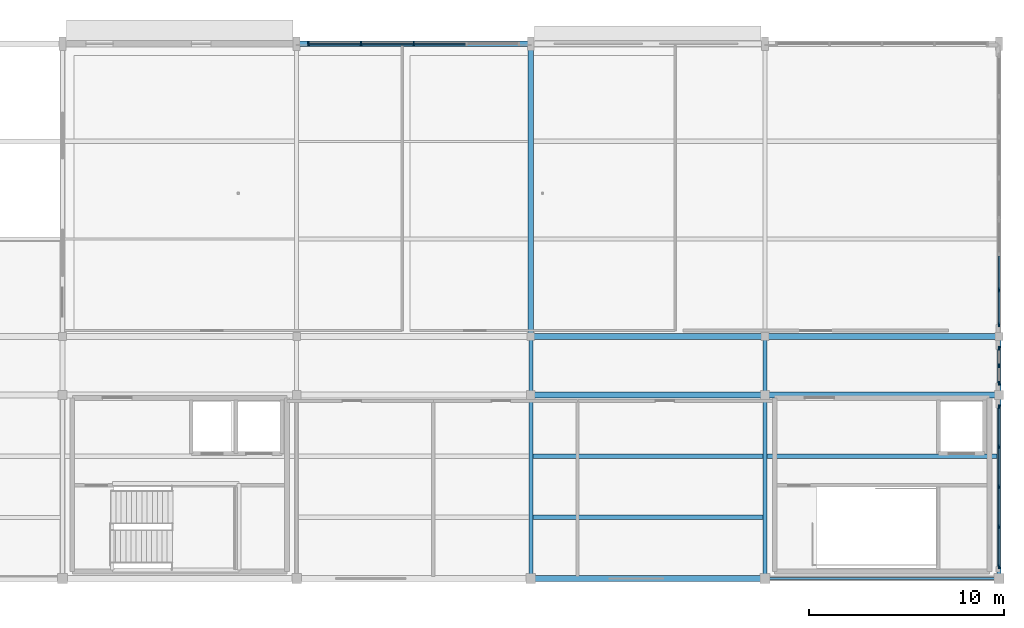
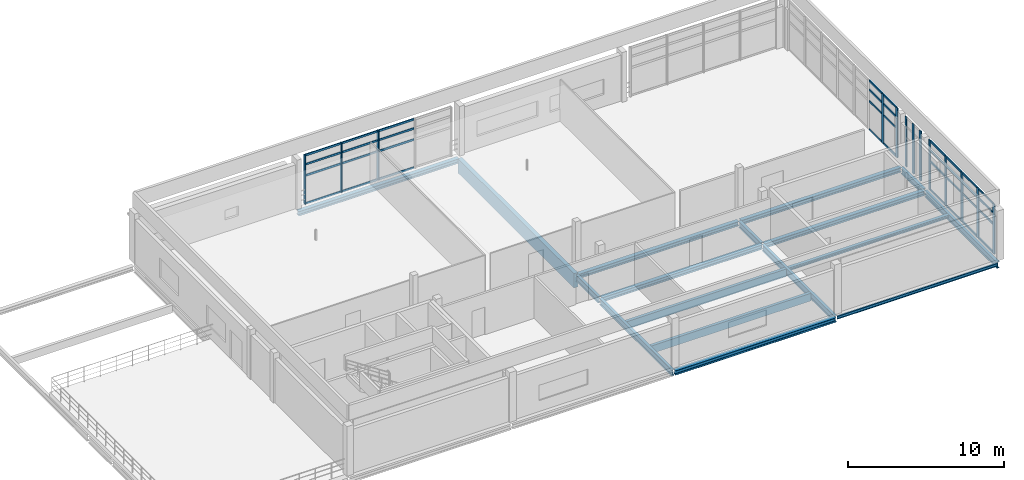
# One storey, part 2 of 9: 49 members, 17 beams, 4 elements without a shape of their own.
"""IFC4 building model written with IfcOpenShell, lengths in metres."""

from ifc_helpers import new_model, si_unit, direction, frame, origin, origin_2d, place, context, subcontext, project, spatial, rectangle, i_section, extrude, material, material_profile, profile_set, type_object, element, aggregate, save


model = new_model("IFC4")

# Units and contexts
model_context = context("Model", 3, precision=1e-05, world=origin(), true_north=direction((0.0, 1.0)))
body_context = subcontext(model_context, "Body", "Model", "MODEL_VIEW")
ifc_project = project(units=[si_unit("LENGTHUNIT", "METRE"), si_unit("AREAUNIT", "SQUARE_METRE"), si_unit("VOLUMEUNIT", "CUBIC_METRE"), si_unit("PLANEANGLEUNIT", "RADIAN"), si_unit("MASSUNIT", "GRAM", prefix="KILO"), si_unit("THERMODYNAMICTEMPERATUREUNIT", "KELVIN"), si_unit("POWERUNIT", "WATT")], contexts=[model_context])

# Site, building, storey
site_placement = place(None, origin())
site = spatial("IfcSite", under=ifc_project, at=site_placement, CompositionType="ELEMENT")
building_placement = place(site_placement, origin())
building = spatial("IfcBuilding", under=site, at=building_placement, Name="Solmara Park Aquatics Centre", CompositionType="ELEMENT")
storey_placement = place(building_placement, frame((0.0, 0.0, 18.60009765625)))
storey = spatial("IfcBuildingStorey", under=building, at=storey_placement, Name="L04", CompositionType="ELEMENT", Elevation=18.60009765625)

# Curtain wall, members
ifc_material_1 = material(Name="Anodised Aluminium Curtain Wall Framing", Category="aluminium")
curtain_wall_type_1 = type_object("IfcCurtainWallType", Name="ARC-CW-SYS04", PredefinedType="USERDEFINED", material=ifc_material_1)
curtain_wall_1_placement = place(storey_placement, origin())
curtain_wall_1 = element("IfcCurtainWall", 1, at=curtain_wall_1_placement, inside=storey, type_object=curtain_wall_type_1, Name="Curtain Wall CW-132", ObjectType="CURTAIN WALL", PredefinedType="USERDEFINED")
ifc_material_2 = material(Name="Anodised Aluminium Alloy 6063-T6", Category="aluminium")
ifc_material_profile_1 = material_profile(ifc_material_2, rectangle(XDim=0.074951171875, YDim=0.219970703125, at=origin_2d()), Name="ALU MULLION 75x220")
ifc_profile_set_1 = profile_set([ifc_material_profile_1], Name="Anodised Aluminium Alloy 6063-T6")
member_type_1 = type_object("IfcMemberType", Name="ARC-CWM-75x220", PredefinedType="MULLION", material=ifc_profile_set_1)
member_1_placement = place(storey_placement, frame((61.199951171875, 136.0, 0.0), z_axis=(0.0, 0.0, 1.0), x_axis=(1.0, 0.0, 0.0)))
member_1 = element("IfcMember", 2, at=member_1_placement, type_object=member_type_1, Name="CW-132 mullion 1", PredefinedType="MULLION", context=body_context, shape_type="SweptSolid", body=[
    extrude(rectangle(XDim=0.074951171875, YDim=0.219970703125, at=origin_2d()), origin(), (0.0, 0.0, 1.0), 3.83984375),
])
member_2_placement = place(storey_placement, frame((63.89990234375, 136.0, 0.0), z_axis=(0.0, 0.0, 1.0), x_axis=(1.0, 0.0, 0.0)))
member_2 = element("IfcMember", 3, at=member_2_placement, type_object=member_type_1, Name="CW-132 mullion 2", PredefinedType="MULLION", context=body_context, shape_type="SweptSolid", body=[
    extrude(rectangle(XDim=0.074951171875, YDim=0.219970703125, at=origin_2d()), origin(), (0.0, 0.0, 1.0), 3.83984375),
])
member_3_placement = place(storey_placement, frame((66.60009765625, 136.0, 0.0), z_axis=(0.0, 0.0, 1.0), x_axis=(1.0, 0.0, 0.0)))
member_3 = element("IfcMember", 4, at=member_3_placement, type_object=member_type_1, Name="CW-132 mullion 3", PredefinedType="MULLION", context=body_context, shape_type="SweptSolid", body=[
    extrude(rectangle(XDim=0.074951171875, YDim=0.219970703125, at=origin_2d()), origin(), (0.0, 0.0, 1.0), 3.83984375),
])

curtain_wall_type_2 = type_object("IfcCurtainWallType", Name="ARC-CW-SYS06", PredefinedType="USERDEFINED", material=ifc_material_1)
curtain_wall_2_placement = place(storey_placement, origin())
curtain_wall_2 = element("IfcCurtainWall", 5, at=curtain_wall_2_placement, inside=storey, type_object=curtain_wall_type_2, Name="Curtain Wall CW-134", ObjectType="CURTAIN WALL", PredefinedType="USERDEFINED")
member_4_placement = place(storey_placement, frame((96.60009765625, 109.199951171875, 0.0), z_axis=(0.0, 0.0, 1.0), x_axis=(1.0, 0.0, 0.0)))
member_4 = element("IfcMember", 6, at=member_4_placement, type_object=member_type_1, Name="CW-134 mullion 1", PredefinedType="MULLION", context=body_context, shape_type="SweptSolid", body=[
    extrude(rectangle(XDim=0.074951171875, YDim=0.219970703125, at=origin_2d()), origin(), (0.0, 0.0, 1.0), 3.8798828125),
])
member_5_placement = place(storey_placement, frame((96.60009765625, 111.25, 0.0), z_axis=(0.0, 0.0, 1.0), x_axis=(1.0, 0.0, 0.0)))
member_5 = element("IfcMember", 7, at=member_5_placement, type_object=member_type_1, Name="CW-134 mullion 2", PredefinedType="MULLION", context=body_context, shape_type="SweptSolid", body=[
    extrude(rectangle(XDim=0.074951171875, YDim=0.219970703125, at=origin_2d()), origin(), (0.0, 0.0, 1.0), 3.8798828125),
])
member_6_placement = place(storey_placement, frame((96.60009765625, 113.300048828125, 0.0), z_axis=(0.0, 0.0, 1.0), x_axis=(1.0, 0.0, 0.0)))
member_6 = element("IfcMember", 8, at=member_6_placement, type_object=member_type_1, Name="CW-134 mullion 3", PredefinedType="MULLION", context=body_context, shape_type="SweptSolid", body=[
    extrude(rectangle(XDim=0.074951171875, YDim=0.219970703125, at=origin_2d()), origin(), (0.0, 0.0, 1.0), 3.8798828125),
])
member_7_placement = place(storey_placement, frame((96.60009765625, 115.35009765625, 0.0), z_axis=(0.0, 0.0, 1.0), x_axis=(1.0, 0.0, 0.0)))
member_7 = element("IfcMember", 9, at=member_7_placement, type_object=member_type_1, Name="CW-134 mullion 4", PredefinedType="MULLION", context=body_context, shape_type="SweptSolid", body=[
    extrude(rectangle(XDim=0.074951171875, YDim=0.219970703125, at=origin_2d()), origin(), (0.0, 0.0, 1.0), 3.8798828125),
])
member_8_placement = place(storey_placement, frame((96.60009765625, 117.39990234375, 0.0), z_axis=(0.0, 0.0, 1.0), x_axis=(1.0, 0.0, 0.0)))
member_8 = element("IfcMember", 10, at=member_8_placement, type_object=member_type_1, Name="CW-134 mullion 5", PredefinedType="MULLION", context=body_context, shape_type="SweptSolid", body=[
    extrude(rectangle(XDim=0.074951171875, YDim=0.219970703125, at=origin_2d()), origin(), (0.0, 0.0, 1.0), 3.8798828125),
])

curtain_wall_3_placement = place(storey_placement, origin())
curtain_wall_3 = element("IfcCurtainWall", 11, at=curtain_wall_3_placement, inside=storey, type_object=curtain_wall_type_2, Name="Curtain Wall CW-135", ObjectType="CURTAIN WALL", PredefinedType="USERDEFINED")
member_9_placement = place(storey_placement, frame((96.60009765625, 118.60009765625, 0.0), z_axis=(0.0, 0.0, 1.0), x_axis=(1.0, 0.0, 0.0)))
member_9 = element("IfcMember", 12, at=member_9_placement, type_object=member_type_1, Name="CW-135 mullion 1", PredefinedType="MULLION", context=body_context, shape_type="SweptSolid", body=[
    extrude(rectangle(XDim=0.074951171875, YDim=0.219970703125, at=origin_2d()), origin(), (0.0, 0.0, 1.0), 3.8798828125),
])
member_10_placement = place(storey_placement, frame((96.60009765625, 119.5, 0.0), z_axis=(0.0, 0.0, 1.0), x_axis=(1.0, 0.0, 0.0)))
member_10 = element("IfcMember", 13, at=member_10_placement, type_object=member_type_1, Name="CW-135 mullion 2", PredefinedType="MULLION", context=body_context, shape_type="SweptSolid", body=[
    extrude(rectangle(XDim=0.074951171875, YDim=0.219970703125, at=origin_2d()), origin(), (0.0, 0.0, 1.0), 3.8798828125),
])
member_11_placement = place(storey_placement, frame((96.60009765625, 120.39990234375, 0.0), z_axis=(0.0, 0.0, 1.0), x_axis=(1.0, 0.0, 0.0)))
member_11 = element("IfcMember", 14, at=member_11_placement, type_object=member_type_1, Name="CW-135 mullion 3", PredefinedType="MULLION", context=body_context, shape_type="SweptSolid", body=[
    extrude(rectangle(XDim=0.074951171875, YDim=0.219970703125, at=origin_2d()), origin(), (0.0, 0.0, 1.0), 3.8798828125),
])
aggregate(curtain_wall_3, [member_9, member_10, member_11])

curtain_wall_4_placement = place(storey_placement, origin())
curtain_wall_4 = element("IfcCurtainWall", 15, at=curtain_wall_4_placement, inside=storey, type_object=curtain_wall_type_2, Name="Curtain Wall CW-136", ObjectType="CURTAIN WALL", PredefinedType="USERDEFINED")
member_12_placement = place(storey_placement, frame((96.60009765625, 121.60009765625, 0.0), z_axis=(0.0, 0.0, 1.0), x_axis=(1.0, 0.0, 0.0)))
member_12 = element("IfcMember", 16, at=member_12_placement, type_object=member_type_1, Name="CW-136 mullion 1", PredefinedType="MULLION", context=body_context, shape_type="SweptSolid", body=[
    extrude(rectangle(XDim=0.074951171875, YDim=0.219970703125, at=origin_2d()), origin(), (0.0, 0.0, 1.0), 3.8798828125),
])
member_13_placement = place(storey_placement, frame((96.60009765625, 123.38671875, 0.0), z_axis=(0.0, 0.0, 1.0), x_axis=(1.0, 0.0, 0.0)))
member_13 = element("IfcMember", 17, at=member_13_placement, type_object=member_type_1, Name="CW-136 mullion 2", PredefinedType="MULLION", context=body_context, shape_type="SweptSolid", body=[
    extrude(rectangle(XDim=0.074951171875, YDim=0.219970703125, at=origin_2d()), origin(), (0.0, 0.0, 1.0), 3.8798828125),
])

# Member
ifc_material_profile_2 = material_profile(ifc_material_2, rectangle(XDim=0.074951171875, YDim=0.14990234375, at=origin_2d()), Name="ALU TRANSOM 75x150")
ifc_profile_set_2 = profile_set([ifc_material_profile_2], Name="Anodised Aluminium Alloy 6063-T6")
member_type_2 = type_object("IfcMemberType", Name="ARC-CWT-75x150", PredefinedType="USERDEFINED", material=ifc_profile_set_2)
member_14_placement = place(storey_placement, frame((61.219970703125, 136.0, 0.039794921875), z_axis=(1.0, 0.0, 0.0), x_axis=(0.0, 1.0, 0.0)))
member_14 = element("IfcMember", 18, at=member_14_placement, type_object=member_type_2, Name="CW-132 transom 1", ObjectType="TRANSOM", PredefinedType="USERDEFINED", context=body_context, shape_type="SweptSolid", body=[
    extrude(rectangle(XDim=0.074951171875, YDim=0.14990234375, at=origin_2d()), origin(), (0.0, 0.0, 1.0), 2.6201171875),
])

member_15_placement = place(storey_placement, frame((61.219970703125, 136.0, 2.22705078125), z_axis=(1.0, 0.0, 0.0), x_axis=(0.0, 1.0, 0.0)))
member_15 = element("IfcMember", 19, at=member_15_placement, type_object=member_type_2, Name="CW-132 transom 2", ObjectType="TRANSOM", PredefinedType="USERDEFINED", context=body_context, shape_type="SweptSolid", body=[
    extrude(rectangle(XDim=0.074951171875, YDim=0.14990234375, at=origin_2d()), origin(), (0.0, 0.0, 1.0), 2.6201171875),
])

member_16_placement = place(storey_placement, frame((61.219970703125, 136.0, 3.08984375), z_axis=(1.0, 0.0, 0.0), x_axis=(0.0, 1.0, 0.0)))
member_16 = element("IfcMember", 20, at=member_16_placement, type_object=member_type_2, Name="CW-132 transom 3", ObjectType="TRANSOM", PredefinedType="USERDEFINED", context=body_context, shape_type="SweptSolid", body=[
    extrude(rectangle(XDim=0.074951171875, YDim=0.14990234375, at=origin_2d()), origin(), (0.0, 0.0, 1.0), 2.6201171875),
])

member_17_placement = place(storey_placement, frame((61.219970703125, 136.0, 3.7998046875), z_axis=(1.0, 0.0, 0.0), x_axis=(0.0, 1.0, 0.0)))
member_17 = element("IfcMember", 21, at=member_17_placement, type_object=member_type_2, Name="CW-132 transom 4", ObjectType="TRANSOM", PredefinedType="USERDEFINED", context=body_context, shape_type="SweptSolid", body=[
    extrude(rectangle(XDim=0.074951171875, YDim=0.14990234375, at=origin_2d()), origin(), (0.0, 0.0, 1.0), 2.6201171875),
])

member_18_placement = place(storey_placement, frame((63.919921875, 136.0, 0.039794921875), z_axis=(1.0, 0.0, 0.0), x_axis=(0.0, 1.0, 0.0)))
member_18 = element("IfcMember", 22, at=member_18_placement, type_object=member_type_2, Name="CW-132 transom 5", ObjectType="TRANSOM", PredefinedType="USERDEFINED", context=body_context, shape_type="SweptSolid", body=[
    extrude(rectangle(XDim=0.074951171875, YDim=0.14990234375, at=origin_2d()), origin(), (0.0, 0.0, 1.0), 2.6201171875),
])

member_19_placement = place(storey_placement, frame((63.919921875, 136.0, 2.22705078125), z_axis=(1.0, 0.0, 0.0), x_axis=(0.0, 1.0, 0.0)))
member_19 = element("IfcMember", 23, at=member_19_placement, type_object=member_type_2, Name="CW-132 transom 6", ObjectType="TRANSOM", PredefinedType="USERDEFINED", context=body_context, shape_type="SweptSolid", body=[
    extrude(rectangle(XDim=0.074951171875, YDim=0.14990234375, at=origin_2d()), origin(), (0.0, 0.0, 1.0), 2.6201171875),
])

member_20_placement = place(storey_placement, frame((63.919921875, 136.0, 3.08984375), z_axis=(1.0, 0.0, 0.0), x_axis=(0.0, 1.0, 0.0)))
member_20 = element("IfcMember", 24, at=member_20_placement, type_object=member_type_2, Name="CW-132 transom 7", ObjectType="TRANSOM", PredefinedType="USERDEFINED", context=body_context, shape_type="SweptSolid", body=[
    extrude(rectangle(XDim=0.074951171875, YDim=0.14990234375, at=origin_2d()), origin(), (0.0, 0.0, 1.0), 2.6201171875),
])

member_21_placement = place(storey_placement, frame((63.919921875, 136.0, 3.7998046875), z_axis=(1.0, 0.0, 0.0), x_axis=(0.0, 1.0, 0.0)))
member_21 = element("IfcMember", 25, at=member_21_placement, type_object=member_type_2, Name="CW-132 transom 8", ObjectType="TRANSOM", PredefinedType="USERDEFINED", context=body_context, shape_type="SweptSolid", body=[
    extrude(rectangle(XDim=0.074951171875, YDim=0.14990234375, at=origin_2d()), origin(), (0.0, 0.0, 1.0), 2.6201171875),
])

member_22_placement = place(storey_placement, frame((66.6201171875, 136.0, 0.039794921875), z_axis=(1.0, 0.0, 0.0), x_axis=(0.0, 1.0, 0.0)))
member_22 = element("IfcMember", 26, at=member_22_placement, type_object=member_type_2, Name="CW-132 transom 9", ObjectType="TRANSOM", PredefinedType="USERDEFINED", context=body_context, shape_type="SweptSolid", body=[
    extrude(rectangle(XDim=0.074951171875, YDim=0.14990234375, at=origin_2d()), origin(), (0.0, 0.0, 1.0), 2.619873046875),
])

member_23_placement = place(storey_placement, frame((66.6201171875, 136.0, 2.22705078125), z_axis=(1.0, 0.0, 0.0), x_axis=(0.0, 1.0, 0.0)))
member_23 = element("IfcMember", 27, at=member_23_placement, type_object=member_type_2, Name="CW-132 transom 10", ObjectType="TRANSOM", PredefinedType="USERDEFINED", context=body_context, shape_type="SweptSolid", body=[
    extrude(rectangle(XDim=0.074951171875, YDim=0.14990234375, at=origin_2d()), origin(), (0.0, 0.0, 1.0), 2.619873046875),
])

member_24_placement = place(storey_placement, frame((66.6201171875, 136.0, 3.08984375), z_axis=(1.0, 0.0, 0.0), x_axis=(0.0, 1.0, 0.0)))
member_24 = element("IfcMember", 28, at=member_24_placement, type_object=member_type_2, Name="CW-132 transom 11", ObjectType="TRANSOM", PredefinedType="USERDEFINED", context=body_context, shape_type="SweptSolid", body=[
    extrude(rectangle(XDim=0.074951171875, YDim=0.14990234375, at=origin_2d()), origin(), (0.0, 0.0, 1.0), 2.619873046875),
])

member_25_placement = place(storey_placement, frame((66.6201171875, 136.0, 3.7998046875), z_axis=(1.0, 0.0, 0.0), x_axis=(0.0, 1.0, 0.0)))
member_25 = element("IfcMember", 29, at=member_25_placement, type_object=member_type_2, Name="CW-132 transom 12", ObjectType="TRANSOM", PredefinedType="USERDEFINED", context=body_context, shape_type="SweptSolid", body=[
    extrude(rectangle(XDim=0.074951171875, YDim=0.14990234375, at=origin_2d()), origin(), (0.0, 0.0, 1.0), 2.619873046875),
])

aggregate(curtain_wall_1, [member_1, member_2, member_3, member_14, member_15, member_16, member_17, member_18, member_19, member_20, member_21, member_22, member_23, member_24, member_25])

member_26_placement = place(storey_placement, frame((96.60009765625, 109.219970703125, 0.039794921875), z_axis=(0.0, 1.0, 0.0), x_axis=(-1.0, 0.0, 0.0)))
member_26 = element("IfcMember", 30, at=member_26_placement, type_object=member_type_2, Name="CW-134 transom 1", ObjectType="TRANSOM", PredefinedType="USERDEFINED", context=body_context, shape_type="SweptSolid", body=[
    extrude(rectangle(XDim=0.074951171875, YDim=0.14990234375, at=origin_2d()), origin(), (0.0, 0.0, 1.0), 1.969970703125),
])

member_27_placement = place(storey_placement, frame((96.60009765625, 109.219970703125, 2.250244140625), z_axis=(0.0, 1.0, 0.0), x_axis=(-1.0, 0.0, 0.0)))
member_27 = element("IfcMember", 31, at=member_27_placement, type_object=member_type_2, Name="CW-134 transom 2", ObjectType="TRANSOM", PredefinedType="USERDEFINED", context=body_context, shape_type="SweptSolid", body=[
    extrude(rectangle(XDim=0.074951171875, YDim=0.14990234375, at=origin_2d()), origin(), (0.0, 0.0, 1.0), 1.969970703125),
])

member_28_placement = place(storey_placement, frame((96.60009765625, 109.219970703125, 3.1298828125), z_axis=(0.0, 1.0, 0.0), x_axis=(-1.0, 0.0, 0.0)))
member_28 = element("IfcMember", 32, at=member_28_placement, type_object=member_type_2, Name="CW-134 transom 3", ObjectType="TRANSOM", PredefinedType="USERDEFINED", context=body_context, shape_type="SweptSolid", body=[
    extrude(rectangle(XDim=0.074951171875, YDim=0.14990234375, at=origin_2d()), origin(), (0.0, 0.0, 1.0), 1.969970703125),
])

member_29_placement = place(storey_placement, frame((96.60009765625, 109.219970703125, 3.83984375), z_axis=(0.0, 1.0, 0.0), x_axis=(-1.0, 0.0, 0.0)))
member_29 = element("IfcMember", 33, at=member_29_placement, type_object=member_type_2, Name="CW-134 transom 4", ObjectType="TRANSOM", PredefinedType="USERDEFINED", context=body_context, shape_type="SweptSolid", body=[
    extrude(rectangle(XDim=0.074951171875, YDim=0.14990234375, at=origin_2d()), origin(), (0.0, 0.0, 1.0), 1.969970703125),
])

member_30_placement = place(storey_placement, frame((96.60009765625, 111.27001953125, 0.039794921875), z_axis=(0.0, 1.0, 0.0), x_axis=(-1.0, 0.0, 0.0)))
member_30 = element("IfcMember", 34, at=member_30_placement, type_object=member_type_2, Name="CW-134 transom 5", ObjectType="TRANSOM", PredefinedType="USERDEFINED", context=body_context, shape_type="SweptSolid", body=[
    extrude(rectangle(XDim=0.074951171875, YDim=0.14990234375, at=origin_2d()), origin(), (0.0, 0.0, 1.0), 1.969970703125),
])

member_31_placement = place(storey_placement, frame((96.60009765625, 111.27001953125, 2.250244140625), z_axis=(0.0, 1.0, 0.0), x_axis=(-1.0, 0.0, 0.0)))
member_31 = element("IfcMember", 35, at=member_31_placement, type_object=member_type_2, Name="CW-134 transom 6", ObjectType="TRANSOM", PredefinedType="USERDEFINED", context=body_context, shape_type="SweptSolid", body=[
    extrude(rectangle(XDim=0.074951171875, YDim=0.14990234375, at=origin_2d()), origin(), (0.0, 0.0, 1.0), 1.969970703125),
])

member_32_placement = place(storey_placement, frame((96.60009765625, 111.27001953125, 3.1298828125), z_axis=(0.0, 1.0, 0.0), x_axis=(-1.0, 0.0, 0.0)))
member_32 = element("IfcMember", 36, at=member_32_placement, type_object=member_type_2, Name="CW-134 transom 7", ObjectType="TRANSOM", PredefinedType="USERDEFINED", context=body_context, shape_type="SweptSolid", body=[
    extrude(rectangle(XDim=0.074951171875, YDim=0.14990234375, at=origin_2d()), origin(), (0.0, 0.0, 1.0), 1.969970703125),
])

member_33_placement = place(storey_placement, frame((96.60009765625, 111.27001953125, 3.83984375), z_axis=(0.0, 1.0, 0.0), x_axis=(-1.0, 0.0, 0.0)))
member_33 = element("IfcMember", 37, at=member_33_placement, type_object=member_type_2, Name="CW-134 transom 8", ObjectType="TRANSOM", PredefinedType="USERDEFINED", context=body_context, shape_type="SweptSolid", body=[
    extrude(rectangle(XDim=0.074951171875, YDim=0.14990234375, at=origin_2d()), origin(), (0.0, 0.0, 1.0), 1.969970703125),
])

member_34_placement = place(storey_placement, frame((96.60009765625, 113.320068359375, 0.039794921875), z_axis=(0.0, 1.0, 0.0), x_axis=(-1.0, 0.0, 0.0)))
member_34 = element("IfcMember", 38, at=member_34_placement, type_object=member_type_2, Name="CW-134 transom 9", ObjectType="TRANSOM", PredefinedType="USERDEFINED", context=body_context, shape_type="SweptSolid", body=[
    extrude(rectangle(XDim=0.074951171875, YDim=0.14990234375, at=origin_2d()), origin(), (0.0, 0.0, 1.0), 1.969970703125),
])

member_35_placement = place(storey_placement, frame((96.60009765625, 113.320068359375, 2.250244140625), z_axis=(0.0, 1.0, 0.0), x_axis=(-1.0, 0.0, 0.0)))
member_35 = element("IfcMember", 39, at=member_35_placement, type_object=member_type_2, Name="CW-134 transom 10", ObjectType="TRANSOM", PredefinedType="USERDEFINED", context=body_context, shape_type="SweptSolid", body=[
    extrude(rectangle(XDim=0.074951171875, YDim=0.14990234375, at=origin_2d()), origin(), (0.0, 0.0, 1.0), 1.969970703125),
])

member_36_placement = place(storey_placement, frame((96.60009765625, 113.320068359375, 3.1298828125), z_axis=(0.0, 1.0, 0.0), x_axis=(-1.0, 0.0, 0.0)))
member_36 = element("IfcMember", 40, at=member_36_placement, type_object=member_type_2, Name="CW-134 transom 11", ObjectType="TRANSOM", PredefinedType="USERDEFINED", context=body_context, shape_type="SweptSolid", body=[
    extrude(rectangle(XDim=0.074951171875, YDim=0.14990234375, at=origin_2d()), origin(), (0.0, 0.0, 1.0), 1.969970703125),
])

member_37_placement = place(storey_placement, frame((96.60009765625, 113.320068359375, 3.83984375), z_axis=(0.0, 1.0, 0.0), x_axis=(-1.0, 0.0, 0.0)))
member_37 = element("IfcMember", 41, at=member_37_placement, type_object=member_type_2, Name="CW-134 transom 12", ObjectType="TRANSOM", PredefinedType="USERDEFINED", context=body_context, shape_type="SweptSolid", body=[
    extrude(rectangle(XDim=0.074951171875, YDim=0.14990234375, at=origin_2d()), origin(), (0.0, 0.0, 1.0), 1.969970703125),
])

member_38_placement = place(storey_placement, frame((96.60009765625, 115.3701171875, 0.039794921875), z_axis=(0.0, 1.0, 0.0), x_axis=(-1.0, 0.0, 0.0)))
member_38 = element("IfcMember", 42, at=member_38_placement, type_object=member_type_2, Name="CW-134 transom 13", ObjectType="TRANSOM", PredefinedType="USERDEFINED", context=body_context, shape_type="SweptSolid", body=[
    extrude(rectangle(XDim=0.074951171875, YDim=0.14990234375, at=origin_2d()), origin(), (0.0, 0.0, 1.0), 1.969970703125),
])

member_39_placement = place(storey_placement, frame((96.60009765625, 115.3701171875, 2.250244140625), z_axis=(0.0, 1.0, 0.0), x_axis=(-1.0, 0.0, 0.0)))
member_39 = element("IfcMember", 43, at=member_39_placement, type_object=member_type_2, Name="CW-134 transom 14", ObjectType="TRANSOM", PredefinedType="USERDEFINED", context=body_context, shape_type="SweptSolid", body=[
    extrude(rectangle(XDim=0.074951171875, YDim=0.14990234375, at=origin_2d()), origin(), (0.0, 0.0, 1.0), 1.969970703125),
])

member_40_placement = place(storey_placement, frame((96.60009765625, 115.3701171875, 3.1298828125), z_axis=(0.0, 1.0, 0.0), x_axis=(-1.0, 0.0, 0.0)))
member_40 = element("IfcMember", 44, at=member_40_placement, type_object=member_type_2, Name="CW-134 transom 15", ObjectType="TRANSOM", PredefinedType="USERDEFINED", context=body_context, shape_type="SweptSolid", body=[
    extrude(rectangle(XDim=0.074951171875, YDim=0.14990234375, at=origin_2d()), origin(), (0.0, 0.0, 1.0), 1.969970703125),
])

member_41_placement = place(storey_placement, frame((96.60009765625, 115.3701171875, 3.83984375), z_axis=(0.0, 1.0, 0.0), x_axis=(-1.0, 0.0, 0.0)))
member_41 = element("IfcMember", 45, at=member_41_placement, type_object=member_type_2, Name="CW-134 transom 16", ObjectType="TRANSOM", PredefinedType="USERDEFINED", context=body_context, shape_type="SweptSolid", body=[
    extrude(rectangle(XDim=0.074951171875, YDim=0.14990234375, at=origin_2d()), origin(), (0.0, 0.0, 1.0), 1.969970703125),
])

aggregate(curtain_wall_2, [member_4, member_5, member_6, member_7, member_8, member_26, member_27, member_28, member_29, member_30, member_31, member_32, member_33, member_34, member_35, member_36, member_37, member_38, member_39, member_40, member_41])

member_42_placement = place(storey_placement, frame((96.60009765625, 121.6201171875, 0.039794921875), z_axis=(0.0, 1.0, 0.0), x_axis=(-1.0, 0.0, 0.0)))
member_42 = element("IfcMember", 46, at=member_42_placement, type_object=member_type_2, Name="CW-136 transom 1", ObjectType="TRANSOM", PredefinedType="USERDEFINED", context=body_context, shape_type="SweptSolid", body=[
    extrude(rectangle(XDim=0.074951171875, YDim=0.14990234375, at=origin_2d()), origin(), (0.0, 0.0, 1.0), 1.70654296875),
])

member_43_placement = place(storey_placement, frame((96.60009765625, 121.6201171875, 2.250244140625), z_axis=(0.0, 1.0, 0.0), x_axis=(-1.0, 0.0, 0.0)))
member_43 = element("IfcMember", 47, at=member_43_placement, type_object=member_type_2, Name="CW-136 transom 2", ObjectType="TRANSOM", PredefinedType="USERDEFINED", context=body_context, shape_type="SweptSolid", body=[
    extrude(rectangle(XDim=0.074951171875, YDim=0.14990234375, at=origin_2d()), origin(), (0.0, 0.0, 1.0), 1.70654296875),
])

member_44_placement = place(storey_placement, frame((96.60009765625, 121.6201171875, 3.1298828125), z_axis=(0.0, 1.0, 0.0), x_axis=(-1.0, 0.0, 0.0)))
member_44 = element("IfcMember", 48, at=member_44_placement, type_object=member_type_2, Name="CW-136 transom 3", ObjectType="TRANSOM", PredefinedType="USERDEFINED", context=body_context, shape_type="SweptSolid", body=[
    extrude(rectangle(XDim=0.074951171875, YDim=0.14990234375, at=origin_2d()), origin(), (0.0, 0.0, 1.0), 1.70654296875),
])

member_45_placement = place(storey_placement, frame((96.60009765625, 121.6201171875, 3.83984375), z_axis=(0.0, 1.0, 0.0), x_axis=(-1.0, 0.0, 0.0)))
member_45 = element("IfcMember", 49, at=member_45_placement, type_object=member_type_2, Name="CW-136 transom 4", ObjectType="TRANSOM", PredefinedType="USERDEFINED", context=body_context, shape_type="SweptSolid", body=[
    extrude(rectangle(XDim=0.074951171875, YDim=0.14990234375, at=origin_2d()), origin(), (0.0, 0.0, 1.0), 1.70654296875),
])

member_46_placement = place(storey_placement, frame((96.60009765625, 123.40673828125, 0.039794921875), z_axis=(0.0, 1.0, 0.0), x_axis=(-1.0, 0.0, 0.0)))
member_46 = element("IfcMember", 50, at=member_46_placement, type_object=member_type_2, Name="CW-136 transom 5", ObjectType="TRANSOM", PredefinedType="USERDEFINED", context=body_context, shape_type="SweptSolid", body=[
    extrude(rectangle(XDim=0.074951171875, YDim=0.14990234375, at=origin_2d()), origin(), (0.0, 0.0, 1.0), 1.70654296875),
])

member_47_placement = place(storey_placement, frame((96.60009765625, 123.40673828125, 2.250244140625), z_axis=(0.0, 1.0, 0.0), x_axis=(-1.0, 0.0, 0.0)))
member_47 = element("IfcMember", 51, at=member_47_placement, type_object=member_type_2, Name="CW-136 transom 6", ObjectType="TRANSOM", PredefinedType="USERDEFINED", context=body_context, shape_type="SweptSolid", body=[
    extrude(rectangle(XDim=0.074951171875, YDim=0.14990234375, at=origin_2d()), origin(), (0.0, 0.0, 1.0), 1.70654296875),
])

member_48_placement = place(storey_placement, frame((96.60009765625, 123.40673828125, 3.1298828125), z_axis=(0.0, 1.0, 0.0), x_axis=(-1.0, 0.0, 0.0)))
member_48 = element("IfcMember", 52, at=member_48_placement, type_object=member_type_2, Name="CW-136 transom 7", ObjectType="TRANSOM", PredefinedType="USERDEFINED", context=body_context, shape_type="SweptSolid", body=[
    extrude(rectangle(XDim=0.074951171875, YDim=0.14990234375, at=origin_2d()), origin(), (0.0, 0.0, 1.0), 1.70654296875),
])

member_49_placement = place(storey_placement, frame((96.60009765625, 123.40673828125, 3.83984375), z_axis=(0.0, 1.0, 0.0), x_axis=(-1.0, 0.0, 0.0)))
member_49 = element("IfcMember", 53, at=member_49_placement, type_object=member_type_2, Name="CW-136 transom 8", ObjectType="TRANSOM", PredefinedType="USERDEFINED", context=body_context, shape_type="SweptSolid", body=[
    extrude(rectangle(XDim=0.074951171875, YDim=0.14990234375, at=origin_2d()), origin(), (0.0, 0.0, 1.0), 1.70654296875),
])

aggregate(curtain_wall_4, [member_12, member_13, member_42, member_43, member_44, member_45, member_46, member_47, member_48, member_49])

# Beams
ifc_material_3 = material(Name="Glulam Timber GL28h", Category="wood")
ifc_material_profile_3 = material_profile(ifc_material_3, rectangle(XDim=0.300048828125, YDim=1.1201171875, at=origin_2d()), Name="GL28h 300x1120")
ifc_profile_set_3 = profile_set([ifc_material_profile_3], Name="Glulam Timber GL28h")
beam_type_1 = type_object("IfcBeamType", Name="STR-BM-GL300x1120", PredefinedType="BEAM", material=ifc_profile_set_3)
beam_1_placement = place(storey_placement, frame((72.60009765625, 121.080078125, -0.900146484375), z_axis=(0.0, 1.0, 0.0), x_axis=(-1.0, 0.0, 0.0)))
element("IfcBeam", 54, at=beam_1_placement, inside=storey, type_object=beam_type_1, Name="Girder BM-L04-0511", PredefinedType="BEAM", context=body_context, shape_type="SweptSolid", body=[
    extrude(rectangle(XDim=0.300048828125, YDim=1.1201171875, at=origin_2d()), origin(), (0.0, 0.0, 1.0), 14.83984375),
])
ifc_material_4 = material(Name="Structural Steel S355", Category="steel")
ifc_material_profile_4 = material_profile(ifc_material_4, i_section(OverallWidth=0.300048828125, OverallDepth=0.35009765625, WebThickness=0.010009765625, FlangeThickness=0.017578125, FilletRadius=0.027099609375, at=origin_2d()), Name="HEA 360")
ifc_profile_set_4 = profile_set([ifc_material_profile_4], Name="Structural Steel S355")
beam_type_2 = type_object("IfcBeamType", Name="STR-BM-HEA360", PredefinedType="BEAM", material=ifc_profile_set_4)
for number, where, z_axis, x_axis, name in (
    (55, (72.679931640625, 108.60009765625, -0.51513671875), (1.0, 0.0, 0.0), (0.0, 1.0, 0.0), "Girder BM-L04-0483"),
    (56, (72.679931640625, 118.0, -0.51513671875), (1.0, 0.0, 0.0), (0.0, 1.0, 0.0), "Girder BM-L04-0488"),
    (57, (84.679931640625, 118.0, -0.51513671875), (1.0, 0.0, 0.0), (0.0, 1.0, 0.0), "Girder BM-L04-0489"),
    (58, (72.679931640625, 121.0, -0.51513671875), (1.0, 0.0, 0.0), (0.0, 1.0, 0.0), "Girder BM-L04-0493"),
    (59, (84.679931640625, 121.0, -0.51513671875), (1.0, 0.0, 0.0), (0.0, 1.0, 0.0), "Girder BM-L04-0494"),
    (60, (60.679931640625, 136.0, -0.51513671875), (1.0, 0.0, 0.0), (0.0, 1.0, 0.0), "Girder BM-L04-0497"),
):
    element("IfcBeam", number, at=place(storey_placement, frame(where, z_axis=z_axis, x_axis=x_axis)), inside=storey, type_object=beam_type_2, Name=name, PredefinedType="BEAM", context=body_context, shape_type="SweptSolid", body=[
        extrude(i_section(OverallWidth=0.300048828125, OverallDepth=0.35009765625, WebThickness=0.010009765625, FlangeThickness=0.017578125, FilletRadius=0.027099609375, at=origin_2d()), origin(), (0.0, 0.0, 1.0), 11.840087890625),
    ])
ifc_material_profile_5 = material_profile(ifc_material_4, i_section(OverallWidth=0.199951171875, OverallDepth=0.5, WebThickness=0.01025390625, FlangeThickness=0.01611328125, FilletRadius=0.02099609375, at=origin_2d()), Name="IPE 500")
ifc_profile_set_5 = profile_set([ifc_material_profile_5], Name="Structural Steel S355")
beam_type_3 = type_object("IfcBeamType", Name="STR-BM-IPE500", PredefinedType="BEAM", material=ifc_profile_set_5)
beam_2_placement = place(storey_placement, frame((72.60009765625, 108.679931640625, -0.590087890625), z_axis=(0.0, 1.0, 0.0), x_axis=(-1.0, 0.0, 0.0)))
element("IfcBeam", 61, at=beam_2_placement, inside=storey, type_object=beam_type_3, Name="Girder BM-L04-0509", PredefinedType="BEAM", context=body_context, shape_type="SweptSolid", body=[
    extrude(i_section(OverallWidth=0.199951171875, OverallDepth=0.5, WebThickness=0.01025390625, FlangeThickness=0.01611328125, FilletRadius=0.02099609375, at=origin_2d()), origin(), (0.0, 0.0, 1.0), 9.239990234375),
])
beam_3_placement = place(storey_placement, frame((72.60009765625, 118.080078125, -0.590087890625), z_axis=(0.0, 1.0, 0.0), x_axis=(-1.0, 0.0, 0.0)))
element("IfcBeam", 62, at=beam_3_placement, inside=storey, type_object=beam_type_3, Name="Girder BM-L04-0510", PredefinedType="BEAM", context=body_context, shape_type="SweptSolid", body=[
    extrude(i_section(OverallWidth=0.199951171875, OverallDepth=0.5, WebThickness=0.01025390625, FlangeThickness=0.01611328125, FilletRadius=0.02099609375, at=origin_2d()), origin(), (0.0, 0.0, 1.0), 2.83984375),
])
beam_4_placement = place(storey_placement, frame((84.60009765625, 108.679931640625, -0.590087890625), z_axis=(0.0, 1.0, 0.0), x_axis=(-1.0, 0.0, 0.0)))
element("IfcBeam", 63, at=beam_4_placement, inside=storey, type_object=beam_type_3, Name="Girder BM-L04-0512", PredefinedType="BEAM", context=body_context, shape_type="SweptSolid", body=[
    extrude(i_section(OverallWidth=0.199951171875, OverallDepth=0.5, WebThickness=0.01025390625, FlangeThickness=0.01611328125, FilletRadius=0.02099609375, at=origin_2d()), origin(), (0.0, 0.0, 1.0), 9.239990234375),
])
beam_5_placement = place(storey_placement, frame((84.60009765625, 118.080078125, -0.590087890625), z_axis=(0.0, 1.0, 0.0), x_axis=(-1.0, 0.0, 0.0)))
element("IfcBeam", 64, at=beam_5_placement, inside=storey, type_object=beam_type_3, Name="Girder BM-L04-0513", PredefinedType="BEAM", context=body_context, shape_type="SweptSolid", body=[
    extrude(i_section(OverallWidth=0.199951171875, OverallDepth=0.5, WebThickness=0.01025390625, FlangeThickness=0.01611328125, FilletRadius=0.02099609375, at=origin_2d()), origin(), (0.0, 0.0, 1.0), 2.83984375),
])
beam_6_placement = place(storey_placement, frame((96.60009765625, 108.679931640625, -0.590087890625), z_axis=(0.0, 1.0, 0.0), x_axis=(-1.0, 0.0, 0.0)))
element("IfcBeam", 65, at=beam_6_placement, inside=storey, type_object=beam_type_3, Name="Girder BM-L04-0515", PredefinedType="BEAM", context=body_context, shape_type="SweptSolid", body=[
    extrude(i_section(OverallWidth=0.199951171875, OverallDepth=0.5, WebThickness=0.01025390625, FlangeThickness=0.01611328125, FilletRadius=0.02099609375, at=origin_2d()), origin(), (0.0, 0.0, 1.0), 9.239990234375),
])
beam_7_placement = place(storey_placement, frame((96.60009765625, 118.080078125, -0.590087890625), z_axis=(0.0, 1.0, 0.0), x_axis=(-1.0, 0.0, 0.0)))
element("IfcBeam", 66, at=beam_7_placement, inside=storey, type_object=beam_type_3, Name="Girder BM-L04-0516", PredefinedType="BEAM", context=body_context, shape_type="SweptSolid", body=[
    extrude(i_section(OverallWidth=0.199951171875, OverallDepth=0.5, WebThickness=0.01025390625, FlangeThickness=0.01611328125, FilletRadius=0.02099609375, at=origin_2d()), origin(), (0.0, 0.0, 1.0), 2.83984375),
])
ifc_material_profile_6 = material_profile(ifc_material_3, rectangle(XDim=0.219970703125, YDim=0.60009765625, at=origin_2d()), Name="GL28h 220x600")
ifc_profile_set_6 = profile_set([ifc_material_profile_6], Name="Glulam Timber GL28h")
beam_type_4 = type_object("IfcBeamType", Name="STR-JST-GL220x600", PredefinedType="JOIST", material=ifc_profile_set_6)
for number, where, z_axis, x_axis, name in (
    (67, (72.699951171875, 111.7333984375, -0.64013671875), (1.0, 0.0, 0.0), (0.0, 1.0, 0.0), "Floor Joist JST-L04-0275"),
    (68, (72.699951171875, 114.86669921875, -0.64013671875), (1.0, 0.0, 0.0), (0.0, 1.0, 0.0), "Floor Joist JST-L04-0276"),
):
    element("IfcBeam", number, at=place(storey_placement, frame(where, z_axis=z_axis, x_axis=x_axis)), inside=storey, type_object=beam_type_4, Name=name, PredefinedType="JOIST", context=body_context, shape_type="SweptSolid", body=[
        extrude(rectangle(XDim=0.219970703125, YDim=0.60009765625, at=origin_2d()), origin(), (0.0, 0.0, 1.0), 11.800048828125),
    ])
ifc_material_profile_7 = material_profile(ifc_material_4, i_section(OverallWidth=0.239990234375, OverallDepth=0.22998046875, WebThickness=0.007568359375, FlangeThickness=0.011962890625, FilletRadius=0.02099609375, at=origin_2d()), Name="HEA 240")
ifc_profile_set_7 = profile_set([ifc_material_profile_7], Name="Structural Steel S355")
beam_type_5 = type_object("IfcBeamType", Name="STR-JST-HEA240", PredefinedType="JOIST", material=ifc_profile_set_7)
beam_8_placement = place(storey_placement, frame((84.699951171875, 114.86669921875, -0.455078125), z_axis=(1.0, 0.0, 0.0), x_axis=(0.0, 1.0, 0.0)))
element("IfcBeam", 69, at=beam_8_placement, inside=storey, type_object=beam_type_5, Name="Floor Joist JST-L04-0279", PredefinedType="JOIST", context=body_context, shape_type="SweptSolid", body=[
    extrude(i_section(OverallWidth=0.239990234375, OverallDepth=0.22998046875, WebThickness=0.007568359375, FlangeThickness=0.011962890625, FilletRadius=0.02099609375, at=origin_2d()), origin(), (0.0, 0.0, 1.0), 11.800048828125),
])
ifc_material_profile_8 = material_profile(ifc_material_4, i_section(OverallWidth=0.1201171875, OverallDepth=0.239990234375, WebThickness=0.006103515625, FlangeThickness=0.009765625, FilletRadius=0.014892578125, at=origin_2d()), Name="IPE 240")
ifc_profile_set_8 = profile_set([ifc_material_profile_8], Name="Structural Steel S355")
beam_type_6 = type_object("IfcBeamType", Name="STR-SPD-IPE240", PredefinedType="SPANDREL", material=ifc_profile_set_8)
beam_9_placement = place(storey_placement, frame((84.679931640625, 108.60009765625, -0.460205078125), z_axis=(1.0, 0.0, 0.0), x_axis=(0.0, 1.0, 0.0)))
element("IfcBeam", 70, at=beam_9_placement, inside=storey, type_object=beam_type_6, Name="Girder BM-L04-0484", PredefinedType="SPANDREL", context=body_context, shape_type="SweptSolid", body=[
    extrude(i_section(OverallWidth=0.1201171875, OverallDepth=0.239990234375, WebThickness=0.006103515625, FlangeThickness=0.009765625, FilletRadius=0.014892578125, at=origin_2d()), origin(), (0.0, 0.0, 1.0), 11.840087890625),
])

save(model, "model.ifc")
